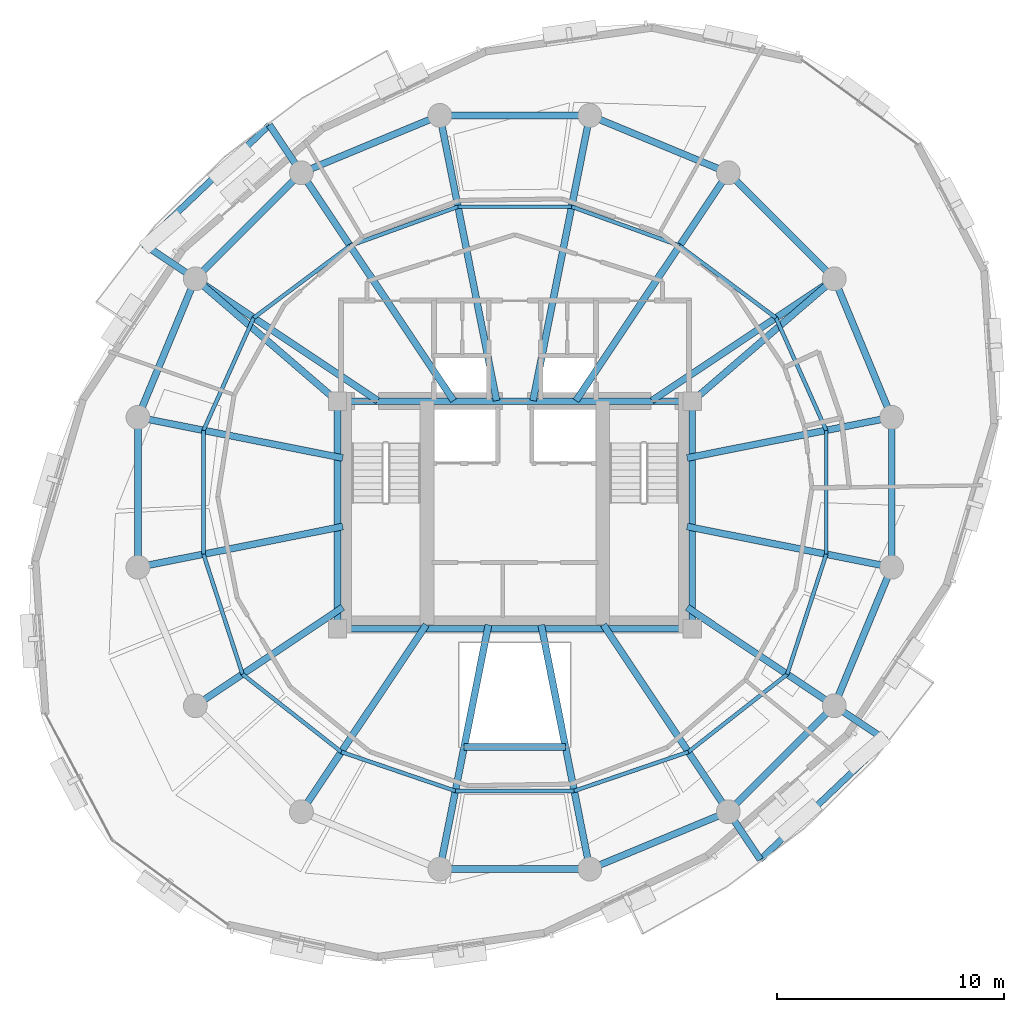
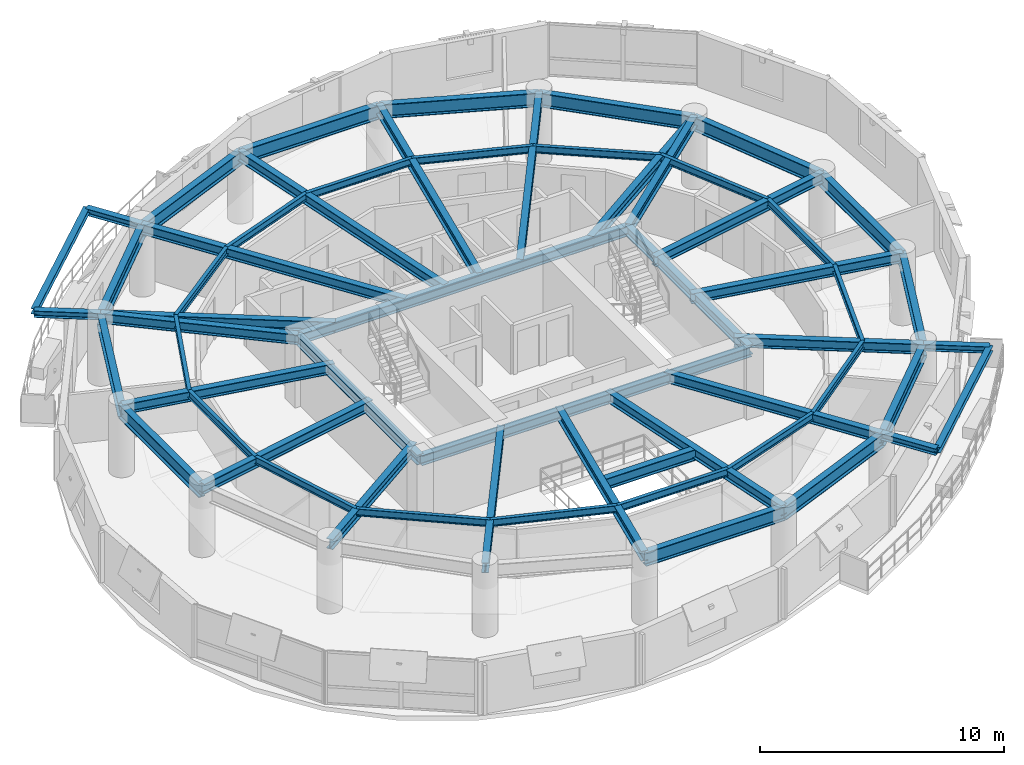
# One storey, part 5 of 12: 58 beams.
"""IFC4 building model written with IfcOpenShell, lengths in metres."""

from ifc_helpers import new_model, si_unit, direction, frame, origin, origin_2d, place, context, subcontext, project, spatial, i_section, extrude, material, material_profile, profile_set, type_object, element, save


model = new_model("IFC4")

# Units and contexts
model_context = context("Model", 3, precision=1e-05, world=origin(), true_north=direction((0.0, 1.0)))
body_context = subcontext(model_context, "Body", "Model", "MODEL_VIEW")
ifc_project = project(units=[si_unit("LENGTHUNIT", "METRE"), si_unit("AREAUNIT", "SQUARE_METRE"), si_unit("VOLUMEUNIT", "CUBIC_METRE"), si_unit("PLANEANGLEUNIT", "RADIAN"), si_unit("MASSUNIT", "GRAM", prefix="KILO"), si_unit("THERMODYNAMICTEMPERATUREUNIT", "KELVIN"), si_unit("POWERUNIT", "WATT")], contexts=[model_context])

# Site, building, storey
site_placement = place(None, origin())
site = spatial("IfcSite", under=ifc_project, at=site_placement, CompositionType="ELEMENT")
building_placement = place(site_placement, origin())
building = spatial("IfcBuilding", under=site, at=building_placement, Name="Ocrelia Relay Tower", CompositionType="ELEMENT")
storey_placement = place(building_placement, frame((0.0, 0.0, 202.39990234375)))
storey = spatial("IfcBuildingStorey", under=building, at=storey_placement, Name="L49", CompositionType="ELEMENT", Elevation=202.39990234375)

# Beams
ifc_material = material(Name="Steel S355", Category="steel")
ifc_material_profile_1 = material_profile(ifc_material, i_section(OverallWidth=0.280029296875, OverallDepth=0.27001953125, WebThickness=0.008056640625, FlangeThickness=0.012939453125, FilletRadius=0.02392578125, at=origin_2d()), Name="HEA 280")
ifc_profile_set_1 = profile_set([ifc_material_profile_1], Name="Steel S355")
beam_type_1 = type_object("IfcBeamType", Name="BM-HEA280", PredefinedType="BEAM", material=ifc_profile_set_1)
for number, where, z_axis, x_axis, name in (
    (1, (23.2041015625, 42.1572265625, 3.2451171875), (-0.724829892797, -0.688927881935, 0.0), (0.688927881935, -0.724829892797, 0.0), "L50 Balcony Edge Trimmer Beam B1"),
    (2, (44.7958984375, 9.8427734375, 3.2451171875), (0.724829892797, 0.688927881935, 0.0), (-0.688927881935, 0.724829892797, 0.0), "L50 Balcony Edge Trimmer Beam B2"),
):
    element("IfcBeam", number, at=place(storey_placement, frame(where, z_axis=z_axis, x_axis=x_axis)), inside=storey, type_object=beam_type_1, Name=name, PredefinedType="BEAM", context=body_context, shape_type="SweptSolid", body=[
        extrude(i_section(OverallWidth=0.280029296875, OverallDepth=0.27001953125, WebThickness=0.008056640625, FlangeThickness=0.012939453125, FilletRadius=0.02392578125, at=origin_2d()), origin(), (0.0, 0.0, 1.0), 7.623046875),
    ])
ifc_material_profile_2 = material_profile(ifc_material, i_section(OverallWidth=0.300048828125, OverallDepth=0.330078125, WebThickness=0.009521484375, FlangeThickness=0.0166015625, FilletRadius=0.027099609375, at=origin_2d()), Name="HEA 340")
ifc_profile_set_2 = profile_set([ifc_material_profile_2], Name="Steel S355")
beam_type_2 = type_object("IfcBeamType", Name="BM-HEA340", PredefinedType="BEAM", material=ifc_profile_set_2)
beam_1_placement = place(storey_placement, frame((24.61083984375, 40.0517578125, 3.215087890625), z_axis=(-0.555545398529, 0.831486205642, 0.0), x_axis=(-0.831486205642, -0.555545398529, 0.0)))
element("IfcBeam", 3, at=beam_1_placement, inside=storey, type_object=beam_type_2, Name="L50 Balcony Cantilever Beam B1-1", PredefinedType="BEAM", context=body_context, shape_type="SweptSolid", body=[
    extrude(i_section(OverallWidth=0.300048828125, OverallDepth=0.330078125, WebThickness=0.009521484375, FlangeThickness=0.0166015625, FilletRadius=0.027099609375, at=origin_2d()), origin(), (0.0, 0.0, 1.0), 2.5322265625),
])
beam_2_placement = place(storey_placement, frame((19.9482421875, 35.38916015625, 3.215087890625), z_axis=(-0.831485669052, 0.555546201644, 0.0), x_axis=(-0.555546201644, -0.831485669052, 0.0)))
element("IfcBeam", 4, at=beam_2_placement, inside=storey, type_object=beam_type_2, Name="L50 Balcony Cantilever Beam B1-2", PredefinedType="BEAM", context=body_context, shape_type="SweptSolid", body=[
    extrude(i_section(OverallWidth=0.300048828125, OverallDepth=0.330078125, WebThickness=0.009521484375, FlangeThickness=0.0166015625, FilletRadius=0.027099609375, at=origin_2d()), origin(), (0.0, 0.0, 1.0), 2.7294921875),
])
beam_3_placement = place(storey_placement, frame((43.38916015625, 11.9482421875, 3.215087890625), z_axis=(0.555545398529, -0.831486205642, 0.0), x_axis=(0.831486205642, 0.555545398529, 0.0)))
element("IfcBeam", 5, at=beam_3_placement, inside=storey, type_object=beam_type_2, Name="L50 Balcony Cantilever Beam B2-1", PredefinedType="BEAM", context=body_context, shape_type="SweptSolid", body=[
    extrude(i_section(OverallWidth=0.300048828125, OverallDepth=0.330078125, WebThickness=0.009521484375, FlangeThickness=0.0166015625, FilletRadius=0.027099609375, at=origin_2d()), origin(), (0.0, 0.0, 1.0), 2.5322265625),
])
beam_4_placement = place(storey_placement, frame((48.0517578125, 16.61083984375, 3.215087890625), z_axis=(0.831485669052, -0.555546201644, 0.0), x_axis=(0.555546201644, 0.831485669052, 0.0)))
element("IfcBeam", 6, at=beam_4_placement, inside=storey, type_object=beam_type_2, Name="L50 Balcony Cantilever Beam B2-2", PredefinedType="BEAM", context=body_context, shape_type="SweptSolid", body=[
    extrude(i_section(OverallWidth=0.300048828125, OverallDepth=0.330078125, WebThickness=0.009521484375, FlangeThickness=0.0166015625, FilletRadius=0.027099609375, at=origin_2d()), origin(), (0.0, 0.0, 1.0), 2.7294921875),
])
ifc_material_profile_3 = material_profile(ifc_material, i_section(OverallWidth=0.300048828125, OverallDepth=0.5, WebThickness=0.014404296875, FlangeThickness=0.028076171875, FilletRadius=0.027099609375, at=origin_2d()), Name="HEB 500")
ifc_profile_set_3 = profile_set([ifc_material_profile_3], Name="Steel S355")
beam_type_3 = type_object("IfcBeamType", Name="BM-HEB500", PredefinedType="BEAM", material=ifc_profile_set_3)
for number, where, z_axis, x_axis, name in (
    (7, (26.199951171875, 20.0, 3.130126953125), (1.0, 0.0, 0.0), (0.0, 1.0, 0.0), "L49 Core Pilaster Tie Beam S"),
    (8, (26.199951171875, 30.0, 3.130126953125), (1.0, 0.0, 0.0), (0.0, 1.0, 0.0), "L49 Core Pilaster Tie Beam N"),
):
    element("IfcBeam", number, at=place(storey_placement, frame(where, z_axis=z_axis, x_axis=x_axis)), inside=storey, type_object=beam_type_3, Name=name, PredefinedType="BEAM", context=body_context, shape_type="SweptSolid", body=[
        extrude(i_section(OverallWidth=0.300048828125, OverallDepth=0.5, WebThickness=0.014404296875, FlangeThickness=0.028076171875, FilletRadius=0.027099609375, at=origin_2d()), origin(), (0.0, 0.0, 1.0), 15.60009765625),
    ])
for number, where, z_axis, x_axis, name in (
    (9, (26.199951171875, 20.0, 3.130126953125), (0.0, 1.0, 0.0), (-1.0, 0.0, 0.0), "L49 Core Pilaster Tie Beam W"),
    (10, (41.800048828125, 20.0, 3.130126953125), (0.0, 1.0, 0.0), (-1.0, 0.0, 0.0), "L49 Core Pilaster Tie Beam E"),
):
    element("IfcBeam", number, at=place(storey_placement, frame(where, z_axis=z_axis, x_axis=x_axis)), inside=storey, type_object=beam_type_3, Name=name, PredefinedType="BEAM", context=body_context, shape_type="SweptSolid", body=[
        extrude(i_section(OverallWidth=0.300048828125, OverallDepth=0.5, WebThickness=0.014404296875, FlangeThickness=0.028076171875, FilletRadius=0.027099609375, at=origin_2d()), origin(), (0.0, 0.0, 1.0), 10.0),
    ])
beam_5_placement = place(storey_placement, frame((50.5751953125, 29.297119140625, 3.130126953125), z_axis=(-0.980783891197, -0.1950973059, 0.0), x_axis=(0.1950973059, -0.980783891197, 0.0)))
element("IfcBeam", 11, at=beam_5_placement, inside=storey, type_object=beam_type_3, Name="L49 Radial Floor Girder R01", PredefinedType="BEAM", context=body_context, shape_type="SweptSolid", body=[
    extrude(i_section(OverallWidth=0.300048828125, OverallDepth=0.5, WebThickness=0.014404296875, FlangeThickness=0.028076171875, FilletRadius=0.027099609375, at=origin_2d()), origin(), (0.0, 0.0, 1.0), 9.17138671875),
])
beam_6_placement = place(storey_placement, frame((48.0517578125, 35.38916015625, 3.130126953125), z_axis=(-0.831469666235, -0.555570152305, 0.0), x_axis=(0.555570152305, -0.831469666235, 0.0)))
element("IfcBeam", 12, at=beam_6_placement, inside=storey, type_object=beam_type_3, Name="L49 Radial Floor Girder R02", PredefinedType="BEAM", context=body_context, shape_type="SweptSolid", body=[
    extrude(i_section(OverallWidth=0.300048828125, OverallDepth=0.5, WebThickness=0.014404296875, FlangeThickness=0.028076171875, FilletRadius=0.027099609375, at=origin_2d()), origin(), (0.0, 0.0, 1.0), 9.646240234375),
])
beam_7_placement = place(storey_placement, frame((48.0517578125, 35.38916015625, 3.130126953125), z_axis=(-0.757424589403, -0.652922653434, 0.0), x_axis=(0.652922653434, -0.757424589403, 0.0)))
element("IfcBeam", 13, at=beam_7_placement, inside=storey, type_object=beam_type_3, Name="L49 Core Pilaster Frame Tie Beam PT02", PredefinedType="BEAM", context=body_context, shape_type="SweptSolid", body=[
    extrude(i_section(OverallWidth=0.300048828125, OverallDepth=0.5, WebThickness=0.014404296875, FlangeThickness=0.028076171875, FilletRadius=0.027099609375, at=origin_2d()), origin(), (0.0, 0.0, 1.0), 8.25390625),
])
beam_8_placement = place(storey_placement, frame((43.38916015625, 40.0517578125, 3.130126953125), z_axis=(-0.55556932408, -0.831470219636, 0.0), x_axis=(0.831470219636, -0.55556932408, 0.0)))
element("IfcBeam", 14, at=beam_8_placement, inside=storey, type_object=beam_type_3, Name="L49 Radial Floor Girder R03", PredefinedType="BEAM", context=body_context, shape_type="SweptSolid", body=[
    extrude(i_section(OverallWidth=0.300048828125, OverallDepth=0.5, WebThickness=0.014404296875, FlangeThickness=0.028076171875, FilletRadius=0.027099609375, at=origin_2d()), origin(), (0.0, 0.0, 1.0), 12.052978515625),
])
for number, where, z_axis, x_axis, name in (
    (15, (37.297119140625, 42.5751953125, 3.130126953125), (-0.195106626135, -0.980782037171, 0.0), (0.980782037171, -0.195106626135, 0.0), "L49 Radial Floor Girder R04"),
    (16, (30.702880859375, 42.5751953125, 3.130126953125), (0.195106626135, -0.980782037171, 0.0), (0.980782037171, 0.195106626135, 0.0), "L49 Radial Floor Girder R05"),
):
    element("IfcBeam", number, at=place(storey_placement, frame(where, z_axis=z_axis, x_axis=x_axis)), inside=storey, type_object=beam_type_3, Name=name, PredefinedType="BEAM", context=body_context, shape_type="SweptSolid", body=[
        extrude(i_section(OverallWidth=0.300048828125, OverallDepth=0.5, WebThickness=0.014404296875, FlangeThickness=0.028076171875, FilletRadius=0.027099609375, at=origin_2d()), origin(), (0.0, 0.0, 1.0), 12.791015625),
    ])
beam_9_placement = place(storey_placement, frame((24.61083984375, 40.0517578125, 3.130126953125), z_axis=(0.55556932408, -0.831470219636, 0.0), x_axis=(0.831470219636, 0.55556932408, 0.0)))
element("IfcBeam", 17, at=beam_9_placement, inside=storey, type_object=beam_type_3, Name="L49 Radial Floor Girder R06", PredefinedType="BEAM", context=body_context, shape_type="SweptSolid", body=[
    extrude(i_section(OverallWidth=0.300048828125, OverallDepth=0.5, WebThickness=0.014404296875, FlangeThickness=0.028076171875, FilletRadius=0.027099609375, at=origin_2d()), origin(), (0.0, 0.0, 1.0), 12.052978515625),
])
beam_10_placement = place(storey_placement, frame((19.9482421875, 35.38916015625, 3.130126953125), z_axis=(0.831469666235, -0.555570152305, 0.0), x_axis=(0.555570152305, 0.831469666235, 0.0)))
element("IfcBeam", 18, at=beam_10_placement, inside=storey, type_object=beam_type_3, Name="L49 Radial Floor Girder R07", PredefinedType="BEAM", context=body_context, shape_type="SweptSolid", body=[
    extrude(i_section(OverallWidth=0.300048828125, OverallDepth=0.5, WebThickness=0.014404296875, FlangeThickness=0.028076171875, FilletRadius=0.027099609375, at=origin_2d()), origin(), (0.0, 0.0, 1.0), 9.646240234375),
])
beam_11_placement = place(storey_placement, frame((19.9482421875, 35.38916015625, 3.130126953125), z_axis=(0.757424589403, -0.652922653434, 0.0), x_axis=(0.652922653434, 0.757424589403, 0.0)))
element("IfcBeam", 19, at=beam_11_placement, inside=storey, type_object=beam_type_3, Name="L49 Core Pilaster Frame Tie Beam PT07", PredefinedType="BEAM", context=body_context, shape_type="SweptSolid", body=[
    extrude(i_section(OverallWidth=0.300048828125, OverallDepth=0.5, WebThickness=0.014404296875, FlangeThickness=0.028076171875, FilletRadius=0.027099609375, at=origin_2d()), origin(), (0.0, 0.0, 1.0), 8.25390625),
])
for number, where, z_axis, x_axis, name in (
    (20, (17.4248046875, 29.297119140625, 3.130126953125), (0.980784683446, -0.195093323097, 0.0), (0.195093323097, 0.980784683446, 0.0), "L49 Radial Floor Girder R08"),
    (21, (17.4248046875, 22.702880859375, 3.130126953125), (0.980784683446, 0.195093323097, 0.0), (-0.195093323097, 0.980784683446, 0.0), "L49 Radial Floor Girder R09"),
):
    element("IfcBeam", number, at=place(storey_placement, frame(where, z_axis=z_axis, x_axis=x_axis)), inside=storey, type_object=beam_type_3, Name=name, PredefinedType="BEAM", context=body_context, shape_type="SweptSolid", body=[
        extrude(i_section(OverallWidth=0.300048828125, OverallDepth=0.5, WebThickness=0.014404296875, FlangeThickness=0.028076171875, FilletRadius=0.027099609375, at=origin_2d()), origin(), (0.0, 0.0, 1.0), 9.181640625),
    ])
beam_12_placement = place(storey_placement, frame((19.9482421875, 16.61083984375, 3.130126953125), z_axis=(0.831462012084, 0.555581607382, 0.0), x_axis=(-0.555581607382, 0.831462012084, 0.0)))
element("IfcBeam", 22, at=beam_12_placement, inside=storey, type_object=beam_type_3, Name="L49 Radial Floor Girder R10", PredefinedType="BEAM", context=body_context, shape_type="SweptSolid", body=[
    extrude(i_section(OverallWidth=0.300048828125, OverallDepth=0.5, WebThickness=0.014404296875, FlangeThickness=0.028076171875, FilletRadius=0.027099609375, at=origin_2d()), origin(), (0.0, 0.0, 1.0), 7.795654296875),
])
beam_13_placement = place(storey_placement, frame((24.61083984375, 11.9482421875, 3.130126953125), z_axis=(0.555577337069, 0.831464865485, 0.0), x_axis=(-0.831464865485, 0.555577337069, 0.0)))
element("IfcBeam", 23, at=beam_13_placement, inside=storey, type_object=beam_type_3, Name="L49 Radial Floor Girder R11", PredefinedType="BEAM", context=body_context, shape_type="SweptSolid", body=[
    extrude(i_section(OverallWidth=0.300048828125, OverallDepth=0.5, WebThickness=0.014404296875, FlangeThickness=0.028076171875, FilletRadius=0.027099609375, at=origin_2d()), origin(), (0.0, 0.0, 1.0), 9.88818359375),
])
for number, where, z_axis, x_axis, name in (
    (24, (30.702880859375, 9.4248046875, 3.130126953125), (0.195100373206, 0.980783281044, 0.0), (-0.980783281044, 0.195100373206, 0.0), "L49 Radial Floor Girder R12"),
    (25, (37.297119140625, 9.4248046875, 3.130126953125), (-0.195100373206, 0.980783281044, 0.0), (-0.980783281044, -0.195100373206, 0.0), "L49 Radial Floor Girder R13"),
):
    element("IfcBeam", number, at=place(storey_placement, frame(where, z_axis=z_axis, x_axis=x_axis)), inside=storey, type_object=beam_type_3, Name=name, PredefinedType="BEAM", context=body_context, shape_type="SweptSolid", body=[
        extrude(i_section(OverallWidth=0.300048828125, OverallDepth=0.5, WebThickness=0.014404296875, FlangeThickness=0.028076171875, FilletRadius=0.027099609375, at=origin_2d()), origin(), (0.0, 0.0, 1.0), 10.95556640625),
    ])
beam_14_placement = place(storey_placement, frame((43.38916015625, 11.9482421875, 3.130126953125), z_axis=(-0.555577337069, 0.831464865485, 0.0), x_axis=(-0.831464865485, -0.555577337069, 0.0)))
element("IfcBeam", 26, at=beam_14_placement, inside=storey, type_object=beam_type_3, Name="L49 Radial Floor Girder R14", PredefinedType="BEAM", context=body_context, shape_type="SweptSolid", body=[
    extrude(i_section(OverallWidth=0.300048828125, OverallDepth=0.5, WebThickness=0.014404296875, FlangeThickness=0.028076171875, FilletRadius=0.027099609375, at=origin_2d()), origin(), (0.0, 0.0, 1.0), 9.88818359375),
])
beam_15_placement = place(storey_placement, frame((48.0517578125, 16.61083984375, 3.130126953125), z_axis=(-0.831456272244, 0.555590197309, 0.0), x_axis=(-0.555590197309, -0.831456272244, 0.0)))
element("IfcBeam", 27, at=beam_15_placement, inside=storey, type_object=beam_type_3, Name="L49 Radial Floor Girder R15", PredefinedType="BEAM", context=body_context, shape_type="SweptSolid", body=[
    extrude(i_section(OverallWidth=0.300048828125, OverallDepth=0.5, WebThickness=0.014404296875, FlangeThickness=0.028076171875, FilletRadius=0.027099609375, at=origin_2d()), origin(), (0.0, 0.0, 1.0), 7.783447265625),
])
beam_16_placement = place(storey_placement, frame((50.5751953125, 22.702880859375, 3.130126953125), z_axis=(-0.980783891197, 0.1950973059, 0.0), x_axis=(-0.1950973059, -0.980783891197, 0.0)))
element("IfcBeam", 28, at=beam_16_placement, inside=storey, type_object=beam_type_3, Name="L49 Radial Floor Girder R16", PredefinedType="BEAM", context=body_context, shape_type="SweptSolid", body=[
    extrude(i_section(OverallWidth=0.300048828125, OverallDepth=0.5, WebThickness=0.014404296875, FlangeThickness=0.028076171875, FilletRadius=0.027099609375, at=origin_2d()), origin(), (0.0, 0.0, 1.0), 9.17138671875),
])
ifc_material_profile_4 = material_profile(ifc_material, i_section(OverallWidth=0.300048828125, OverallDepth=0.550048828125, WebThickness=0.014892578125, FlangeThickness=0.029052734375, FilletRadius=0.027099609375, at=origin_2d()), Name="HEB 550")
ifc_profile_set_4 = profile_set([ifc_material_profile_4], Name="Steel S355")
beam_type_4 = type_object("IfcBeamType", Name="BM-HEB550", PredefinedType="BEAM", material=ifc_profile_set_4)
beam_17_placement = place(storey_placement, frame((31.772216796875, 14.800048828125, 3.10498046875), z_axis=(1.0, 0.0, 0.0), x_axis=(0.0, 1.0, 0.0)))
element("IfcBeam", 29, at=beam_17_placement, inside=storey, type_object=beam_type_4, Name="L49 Atrium South Trimmer Beam", PredefinedType="BEAM", context=body_context, shape_type="SweptSolid", body=[
    extrude(i_section(OverallWidth=0.300048828125, OverallDepth=0.550048828125, WebThickness=0.014892578125, FlangeThickness=0.029052734375, FilletRadius=0.027099609375, at=origin_2d()), origin(), (0.0, 0.0, 1.0), 4.45556640625),
])
ifc_material_profile_5 = material_profile(ifc_material, i_section(OverallWidth=0.300048828125, OverallDepth=0.699951171875, WebThickness=0.01708984375, FlangeThickness=0.031982421875, FilletRadius=0.027099609375, at=origin_2d()), Name="HEB 700")
ifc_profile_set_5 = profile_set([ifc_material_profile_5], Name="Steel S355")
beam_type_5 = type_object("IfcBeamType", Name="BM-HEB700", PredefinedType="BEAM", material=ifc_profile_set_5)
for number, where, z_axis, x_axis, name in (
    (30, (50.5751953125, 29.297119140625, 3.030029296875), (-0.382687508402, 0.923877844151, 0.0), (-0.923877844151, -0.382687508402, 0.0), "L49 Perimeter Spandrel Beam S01"),
    (31, (48.0517578125, 35.38916015625, 3.030029296875), (-0.707106781187, 0.707106781187, 0.0), (-0.707106781187, -0.707106781187, 0.0), "L49 Perimeter Spandrel Beam S02"),
    (32, (43.38916015625, 40.0517578125, 3.030029296875), (-0.923877844151, 0.382687508402, 0.0), (-0.382687508402, -0.923877844151, 0.0), "L49 Perimeter Spandrel Beam S03"),
):
    element("IfcBeam", number, at=place(storey_placement, frame(where, z_axis=z_axis, x_axis=x_axis)), inside=storey, type_object=beam_type_5, Name=name, PredefinedType="BEAM", context=body_context, shape_type="SweptSolid", body=[
        extrude(i_section(OverallWidth=0.300048828125, OverallDepth=0.699951171875, WebThickness=0.01708984375, FlangeThickness=0.031982421875, FilletRadius=0.027099609375, at=origin_2d()), origin(), (0.0, 0.0, 1.0), 6.593994140625),
    ])
beam_18_placement = place(storey_placement, frame((37.297119140625, 42.5751953125, 3.030029296875), z_axis=(-1.0, 0.0, 0.0), x_axis=(0.0, -1.0, 0.0)))
element("IfcBeam", 33, at=beam_18_placement, inside=storey, type_object=beam_type_5, Name="L49 Perimeter Spandrel Beam S04", PredefinedType="BEAM", context=body_context, shape_type="SweptSolid", body=[
    extrude(i_section(OverallWidth=0.300048828125, OverallDepth=0.699951171875, WebThickness=0.01708984375, FlangeThickness=0.031982421875, FilletRadius=0.027099609375, at=origin_2d()), origin(), (0.0, 0.0, 1.0), 6.59423828125),
])
for number, where, z_axis, x_axis, name in (
    (34, (30.702880859375, 42.5751953125, 3.030029296875), (-0.923877844151, -0.382687508402, 0.0), (0.382687508402, -0.923877844151, 0.0), "L49 Perimeter Spandrel Beam S05"),
    (35, (24.61083984375, 40.0517578125, 3.030029296875), (-0.707106781187, -0.707106781187, 0.0), (0.707106781187, -0.707106781187, 0.0), "L49 Perimeter Spandrel Beam S06"),
    (36, (19.9482421875, 35.38916015625, 3.030029296875), (-0.382687508402, -0.923877844151, 0.0), (0.923877844151, -0.382687508402, 0.0), "L49 Perimeter Spandrel Beam S07"),
):
    element("IfcBeam", number, at=place(storey_placement, frame(where, z_axis=z_axis, x_axis=x_axis)), inside=storey, type_object=beam_type_5, Name=name, PredefinedType="BEAM", context=body_context, shape_type="SweptSolid", body=[
        extrude(i_section(OverallWidth=0.300048828125, OverallDepth=0.699951171875, WebThickness=0.01708984375, FlangeThickness=0.031982421875, FilletRadius=0.027099609375, at=origin_2d()), origin(), (0.0, 0.0, 1.0), 6.593994140625),
    ])
for number, where, z_axis, x_axis, name in (
    (37, (17.4248046875, 29.297119140625, 3.030029296875), (0.0, -1.0, 0.0), (1.0, 0.0, 0.0), "L49 Perimeter Spandrel Beam S08"),
    (38, (30.702880859375, 9.4248046875, 3.030029296875), (1.0, 0.0, 0.0), (0.0, 1.0, 0.0), "L49 Perimeter Spandrel Beam S12"),
):
    element("IfcBeam", number, at=place(storey_placement, frame(where, z_axis=z_axis, x_axis=x_axis)), inside=storey, type_object=beam_type_5, Name=name, PredefinedType="BEAM", context=body_context, shape_type="SweptSolid", body=[
        extrude(i_section(OverallWidth=0.300048828125, OverallDepth=0.699951171875, WebThickness=0.01708984375, FlangeThickness=0.031982421875, FilletRadius=0.027099609375, at=origin_2d()), origin(), (0.0, 0.0, 1.0), 6.59423828125),
    ])
for number, where, z_axis, x_axis, name in (
    (39, (37.297119140625, 9.4248046875, 3.030029296875), (0.923877844151, 0.382687508402, 0.0), (-0.382687508402, 0.923877844151, 0.0), "L49 Perimeter Spandrel Beam S13"),
    (40, (43.38916015625, 11.9482421875, 3.030029296875), (0.707106781187, 0.707106781187, 0.0), (-0.707106781187, 0.707106781187, 0.0), "L49 Perimeter Spandrel Beam S14"),
    (41, (48.0517578125, 16.61083984375, 3.030029296875), (0.382687508402, 0.923877844151, 0.0), (-0.923877844151, 0.382687508402, 0.0), "L49 Perimeter Spandrel Beam S15"),
):
    element("IfcBeam", number, at=place(storey_placement, frame(where, z_axis=z_axis, x_axis=x_axis)), inside=storey, type_object=beam_type_5, Name=name, PredefinedType="BEAM", context=body_context, shape_type="SweptSolid", body=[
        extrude(i_section(OverallWidth=0.300048828125, OverallDepth=0.699951171875, WebThickness=0.01708984375, FlangeThickness=0.031982421875, FilletRadius=0.027099609375, at=origin_2d()), origin(), (0.0, 0.0, 1.0), 6.593994140625),
    ])
beam_19_placement = place(storey_placement, frame((50.5751953125, 22.702880859375, 3.030029296875), z_axis=(0.0, 1.0, 0.0), x_axis=(-1.0, 0.0, 0.0)))
element("IfcBeam", 42, at=beam_19_placement, inside=storey, type_object=beam_type_5, Name="L49 Perimeter Spandrel Beam S16", PredefinedType="BEAM", context=body_context, shape_type="SweptSolid", body=[
    extrude(i_section(OverallWidth=0.300048828125, OverallDepth=0.699951171875, WebThickness=0.01708984375, FlangeThickness=0.031982421875, FilletRadius=0.027099609375, at=origin_2d()), origin(), (0.0, 0.0, 1.0), 6.59423828125),
])
ifc_material_profile_6 = material_profile(ifc_material, i_section(OverallWidth=0.169921875, OverallDepth=0.360107421875, WebThickness=0.008056640625, FlangeThickness=0.0126953125, FilletRadius=0.01806640625, at=origin_2d()), Name="IPE 360")
ifc_profile_set_6 = profile_set([ifc_material_profile_6], Name="Steel S355")
beam_type_6 = type_object("IfcBeamType", Name="BM-IPE360", PredefinedType="JOIST", material=ifc_profile_set_6)
beam_20_placement = place(storey_placement, frame((47.69677734375, 28.724365234375, 3.2001953125), z_axis=(-0.407938464853, 0.913009424318, 0.0), x_axis=(-0.913009424318, -0.407938464853, 0.0)))
element("IfcBeam", 43, at=beam_20_placement, inside=storey, type_object=beam_type_6, Name="L49 Secondary Floor Joist J01", PredefinedType="JOIST", context=body_context, shape_type="SweptSolid", body=[
    extrude(i_section(OverallWidth=0.169921875, OverallDepth=0.360107421875, WebThickness=0.008056640625, FlangeThickness=0.0126953125, FilletRadius=0.01806640625, at=origin_2d()), origin(), (0.0, 0.0, 1.0), 5.421630859375),
])
beam_21_placement = place(storey_placement, frame((45.485107421875, 33.67431640625, 3.2001953125), z_axis=(-0.800785247359, 0.598951573678, 0.0), x_axis=(-0.598951573678, -0.800785247359, 0.0)))
element("IfcBeam", 44, at=beam_21_placement, inside=storey, type_object=beam_type_6, Name="L49 Secondary Floor Joist J02", PredefinedType="JOIST", context=body_context, shape_type="SweptSolid", body=[
    extrude(i_section(OverallWidth=0.169921875, OverallDepth=0.360107421875, WebThickness=0.008056640625, FlangeThickness=0.0126953125, FilletRadius=0.01806640625, at=origin_2d()), origin(), (0.0, 0.0, 1.0), 5.293212890625),
])
beam_22_placement = place(storey_placement, frame((41.246337890625, 36.8447265625, 3.2001953125), z_axis=(-0.940453871246, 0.339921338046, 0.0), x_axis=(-0.339921338046, -0.940453871246, 0.0)))
element("IfcBeam", 45, at=beam_22_placement, inside=storey, type_object=beam_type_6, Name="L49 Secondary Floor Joist J03", PredefinedType="JOIST", context=body_context, shape_type="SweptSolid", body=[
    extrude(i_section(OverallWidth=0.169921875, OverallDepth=0.360107421875, WebThickness=0.008056640625, FlangeThickness=0.0126953125, FilletRadius=0.01806640625, at=origin_2d()), origin(), (0.0, 0.0, 1.0), 5.04833984375),
])
beam_23_placement = place(storey_placement, frame((36.49853515625, 38.560791015625, 3.2001953125), z_axis=(-1.0, 0.0, 0.0), x_axis=(0.0, -1.0, 0.0)))
element("IfcBeam", 46, at=beam_23_placement, inside=storey, type_object=beam_type_6, Name="L49 Secondary Floor Joist J04", PredefinedType="JOIST", context=body_context, shape_type="SweptSolid", body=[
    extrude(i_section(OverallWidth=0.169921875, OverallDepth=0.360107421875, WebThickness=0.008056640625, FlangeThickness=0.0126953125, FilletRadius=0.01806640625, at=origin_2d()), origin(), (0.0, 0.0, 1.0), 4.9970703125),
])
beam_24_placement = place(storey_placement, frame((31.50146484375, 38.560791015625, 3.2001953125), z_axis=(-0.940453871246, -0.339921338046, 0.0), x_axis=(0.339921338046, -0.940453871246, 0.0)))
element("IfcBeam", 47, at=beam_24_placement, inside=storey, type_object=beam_type_6, Name="L49 Secondary Floor Joist J05", PredefinedType="JOIST", context=body_context, shape_type="SweptSolid", body=[
    extrude(i_section(OverallWidth=0.169921875, OverallDepth=0.360107421875, WebThickness=0.008056640625, FlangeThickness=0.0126953125, FilletRadius=0.01806640625, at=origin_2d()), origin(), (0.0, 0.0, 1.0), 5.04833984375),
])
beam_25_placement = place(storey_placement, frame((26.753662109375, 36.8447265625, 3.2001953125), z_axis=(-0.800785247359, -0.598951573678, 0.0), x_axis=(0.598951573678, -0.800785247359, 0.0)))
element("IfcBeam", 48, at=beam_25_placement, inside=storey, type_object=beam_type_6, Name="L49 Secondary Floor Joist J06", PredefinedType="JOIST", context=body_context, shape_type="SweptSolid", body=[
    extrude(i_section(OverallWidth=0.169921875, OverallDepth=0.360107421875, WebThickness=0.008056640625, FlangeThickness=0.0126953125, FilletRadius=0.01806640625, at=origin_2d()), origin(), (0.0, 0.0, 1.0), 5.293212890625),
])
beam_26_placement = place(storey_placement, frame((22.514892578125, 33.67431640625, 3.2001953125), z_axis=(-0.407416785709, -0.913242335157, 0.0), x_axis=(0.913242335157, -0.407416785709, 0.0)))
element("IfcBeam", 49, at=beam_26_placement, inside=storey, type_object=beam_type_6, Name="L49 Secondary Floor Joist J07", PredefinedType="JOIST", context=body_context, shape_type="SweptSolid", body=[
    extrude(i_section(OverallWidth=0.169921875, OverallDepth=0.360107421875, WebThickness=0.008056640625, FlangeThickness=0.0126953125, FilletRadius=0.01806640625, at=origin_2d()), origin(), (0.0, 0.0, 1.0), 5.420654296875),
])
beam_27_placement = place(storey_placement, frame((20.306396484375, 28.723876953125, 3.2001953125), z_axis=(0.0, -1.0, 0.0), x_axis=(1.0, 0.0, 0.0)))
element("IfcBeam", 50, at=beam_27_placement, inside=storey, type_object=beam_type_6, Name="L49 Secondary Floor Joist J08", PredefinedType="JOIST", context=body_context, shape_type="SweptSolid", body=[
    extrude(i_section(OverallWidth=0.169921875, OverallDepth=0.360107421875, WebThickness=0.008056640625, FlangeThickness=0.0126953125, FilletRadius=0.01806640625, at=origin_2d()), origin(), (0.0, 0.0, 1.0), 5.44775390625),
])
beam_28_placement = place(storey_placement, frame((20.306396484375, 23.276123046875, 3.2001953125), z_axis=(0.309133805786, -0.951018554036, 0.0), x_axis=(0.951018554036, 0.309133805786, 0.0)))
element("IfcBeam", 51, at=beam_28_placement, inside=storey, type_object=beam_type_6, Name="L49 Secondary Floor Joist J09", PredefinedType="JOIST", context=body_context, shape_type="SweptSolid", body=[
    extrude(i_section(OverallWidth=0.169921875, OverallDepth=0.360107421875, WebThickness=0.008056640625, FlangeThickness=0.0126953125, FilletRadius=0.01806640625, at=origin_2d()), origin(), (0.0, 0.0, 1.0), 5.55126953125),
])
beam_29_placement = place(storey_placement, frame((22.0224609375, 17.996826171875, 3.2001953125), z_axis=(0.786083859045, -0.618119864224, 0.0), x_axis=(0.618119864224, 0.786083859045, 0.0)))
element("IfcBeam", 52, at=beam_29_placement, inside=storey, type_object=beam_type_6, Name="L49 Secondary Floor Joist J10", PredefinedType="JOIST", context=body_context, shape_type="SweptSolid", body=[
    extrude(i_section(OverallWidth=0.169921875, OverallDepth=0.360107421875, WebThickness=0.008056640625, FlangeThickness=0.0126953125, FilletRadius=0.01806640625, at=origin_2d()), origin(), (0.0, 0.0, 1.0), 5.529296875),
])
beam_30_placement = place(storey_placement, frame((26.368896484375, 14.5791015625, 3.2001953125), z_axis=(0.946215174492, -0.323538009454, 0.0), x_axis=(0.323538009454, 0.946215174492, 0.0)))
element("IfcBeam", 53, at=beam_30_placement, inside=storey, type_object=beam_type_6, Name="L49 Secondary Floor Joist J11", PredefinedType="JOIST", context=body_context, shape_type="SweptSolid", body=[
    extrude(i_section(OverallWidth=0.169921875, OverallDepth=0.360107421875, WebThickness=0.008056640625, FlangeThickness=0.0126953125, FilletRadius=0.01806640625, at=origin_2d()), origin(), (0.0, 0.0, 1.0), 5.30322265625),
])
beam_31_placement = place(storey_placement, frame((31.386962890625, 12.86328125, 3.2001953125), z_axis=(1.0, 0.0, 0.0), x_axis=(0.0, 1.0, 0.0)))
element("IfcBeam", 54, at=beam_31_placement, inside=storey, type_object=beam_type_6, Name="L49 Secondary Floor Joist J12", PredefinedType="JOIST", context=body_context, shape_type="SweptSolid", body=[
    extrude(i_section(OverallWidth=0.169921875, OverallDepth=0.360107421875, WebThickness=0.008056640625, FlangeThickness=0.0126953125, FilletRadius=0.01806640625, at=origin_2d()), origin(), (0.0, 0.0, 1.0), 5.22607421875),
])
beam_32_placement = place(storey_placement, frame((36.613037109375, 12.86328125, 3.2001953125), z_axis=(0.946215174492, 0.323538009454, 0.0), x_axis=(-0.323538009454, 0.946215174492, 0.0)))
element("IfcBeam", 55, at=beam_32_placement, inside=storey, type_object=beam_type_6, Name="L49 Secondary Floor Joist J13", PredefinedType="JOIST", context=body_context, shape_type="SweptSolid", body=[
    extrude(i_section(OverallWidth=0.169921875, OverallDepth=0.360107421875, WebThickness=0.008056640625, FlangeThickness=0.0126953125, FilletRadius=0.01806640625, at=origin_2d()), origin(), (0.0, 0.0, 1.0), 5.30322265625),
])
beam_33_placement = place(storey_placement, frame((41.631103515625, 14.5791015625, 3.2001953125), z_axis=(0.78649600233, 0.617595367793, 0.0), x_axis=(-0.617595367793, 0.78649600233, 0.0)))
element("IfcBeam", 56, at=beam_33_placement, inside=storey, type_object=beam_type_6, Name="L49 Secondary Floor Joist J14", PredefinedType="JOIST", context=body_context, shape_type="SweptSolid", body=[
    extrude(i_section(OverallWidth=0.169921875, OverallDepth=0.360107421875, WebThickness=0.008056640625, FlangeThickness=0.0126953125, FilletRadius=0.01806640625, at=origin_2d()), origin(), (0.0, 0.0, 1.0), 5.5302734375),
])
beam_34_placement = place(storey_placement, frame((45.980712890625, 17.99462890625, 3.2001953125), z_axis=(0.309043322978, 0.95104796121, 0.0), x_axis=(-0.95104796121, 0.309043322978, 0.0)))
element("IfcBeam", 57, at=beam_34_placement, inside=storey, type_object=beam_type_6, Name="L49 Secondary Floor Joist J15", PredefinedType="JOIST", context=body_context, shape_type="SweptSolid", body=[
    extrude(i_section(OverallWidth=0.169921875, OverallDepth=0.360107421875, WebThickness=0.008056640625, FlangeThickness=0.0126953125, FilletRadius=0.01806640625, at=origin_2d()), origin(), (0.0, 0.0, 1.0), 5.552734375),
])
beam_35_placement = place(storey_placement, frame((47.69677734375, 23.275634765625, 3.2001953125), z_axis=(0.0, 1.0, 0.0), x_axis=(-1.0, 0.0, 0.0)))
element("IfcBeam", 58, at=beam_35_placement, inside=storey, type_object=beam_type_6, Name="L49 Secondary Floor Joist J16", PredefinedType="JOIST", context=body_context, shape_type="SweptSolid", body=[
    extrude(i_section(OverallWidth=0.169921875, OverallDepth=0.360107421875, WebThickness=0.008056640625, FlangeThickness=0.0126953125, FilletRadius=0.01806640625, at=origin_2d()), origin(), (0.0, 0.0, 1.0), 5.44873046875),
])

save(model, "model.ifc")
